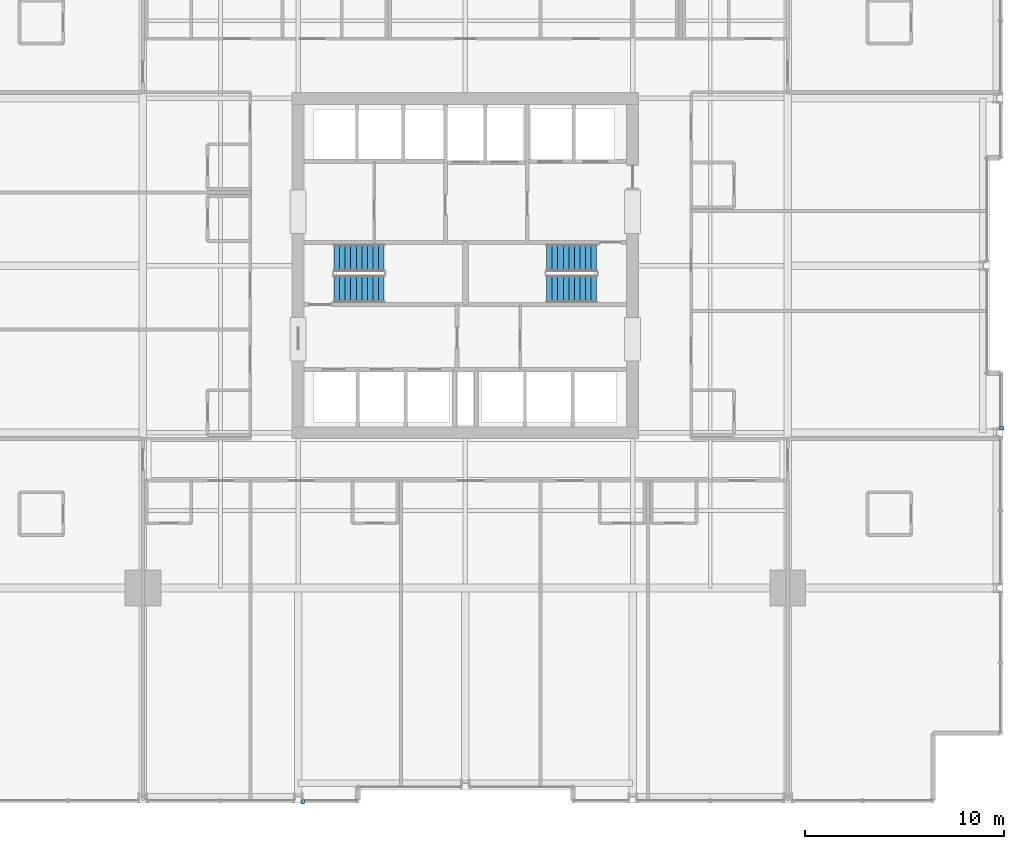
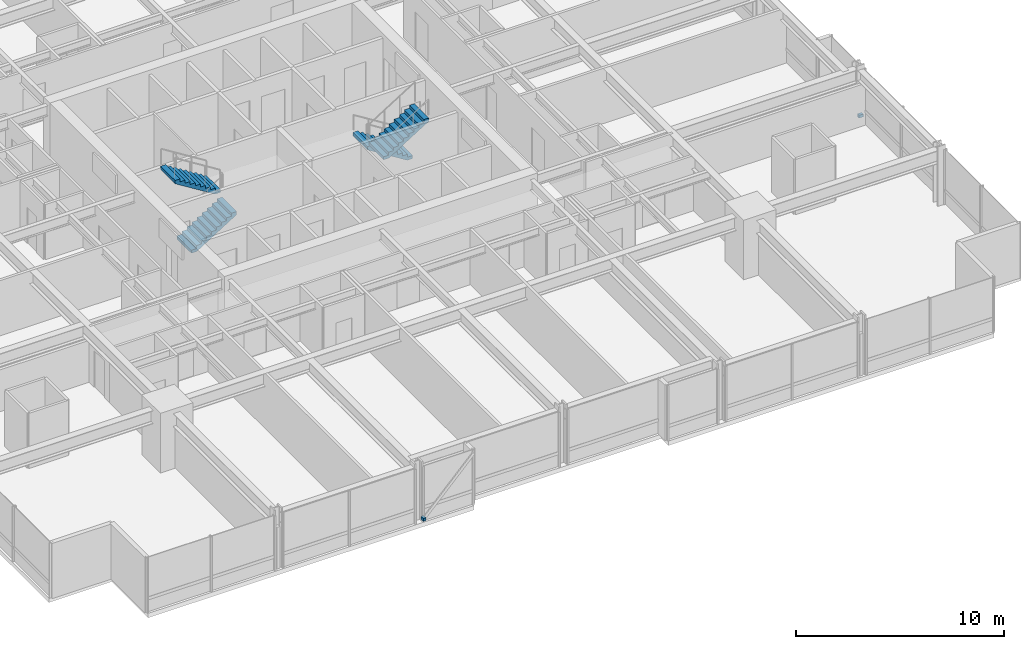
# One storey, part 34 of 38: 4 stair flights, 2 discrete accessories, 2 elements without a shape of their own.
"""IFC4 building model written with IfcOpenShell, lengths in metres."""

from ifc_helpers import new_model, si_unit, direction, frame, origin, origin_2d, place, context, subcontext, project, spatial, polyline, rectangle, outline, extrude, material, type_object, element, aggregate, save


model = new_model("IFC4")

# Units and contexts
model_context = context("Model", 3, precision=1e-05, world=origin(), true_north=direction((0.0, 1.0)))
body_context = subcontext(model_context, "Body", "Model", "MODEL_VIEW")
ifc_project = project(units=[si_unit("LENGTHUNIT", "METRE"), si_unit("AREAUNIT", "SQUARE_METRE"), si_unit("VOLUMEUNIT", "CUBIC_METRE"), si_unit("PLANEANGLEUNIT", "RADIAN"), si_unit("MASSUNIT", "GRAM", prefix="KILO")], contexts=[model_context])

# Site, building, storey
site_placement = place(None, origin())
site = spatial("IfcSite", under=ifc_project, at=site_placement, CompositionType="ELEMENT")
building_placement = place(site_placement, origin())
building = spatial("IfcBuilding", under=site, at=building_placement, Name="Drelvath Grand Hotel", CompositionType="ELEMENT")
storey_placement = place(building_placement, frame((0.0, 0.0, 61.199951171875)))
storey = spatial("IfcBuildingStorey", under=building, at=storey_placement, Name="L14", CompositionType="ELEMENT", Elevation=61.199951171875)

# Stair, stair flights
ifc_material_1 = material(Name="Concrete C40/50", Category="concrete")
stair_type = type_object("IfcStairType", Name="Dogleg Exit Stair W1400-R175.0", PredefinedType="HALF_TURN_STAIR", material=ifc_material_1)
stair_1_placement = place(storey_placement, origin())
stair_1 = element("IfcStair", 1, at=stair_1_placement, inside=storey, type_object=stair_type, Name="L14 Core Exit Stair ST-1", PredefinedType="HALF_TURN_STAIR")
stair_flight_type = type_object("IfcStairFlightType", Name="Concrete Stair Flight W1400-R175.0", PredefinedType="STRAIGHT", material=ifc_material_1)
stair_flight_1_placement = place(storey_placement, frame((-6.60009765625, 25.820068359375, 0.0), z_axis=(0.0, 0.0, 1.0), x_axis=(1.0, 0.0, 0.0)))
stair_flight_1 = element("IfcStairFlight", 2, at=stair_flight_1_placement, type_object=stair_flight_type, Name="ST-1 flight 1", NumberOfRisers=10, NumberOfTreads=9, PredefinedType="STRAIGHT", RiserHeight=0.175, TreadLength=0.28, context=body_context, shape_type="SweptSolid", body=[
    extrude(outline(polyline([(0.0, 0.0), (0.0, 0.175048828125), (0.280029296875, 0.175048828125), (0.280029296875, 0.35009765625), (0.56005859375, 0.35009765625), (0.56005859375, 0.52490234375), (0.840087890625, 0.52490234375), (0.840087890625, 0.699951171875), (1.1201171875, 0.699951171875), (1.1201171875, 0.875), (1.39990234375, 0.875), (1.39990234375, 1.050048828125), (1.679931640625, 1.050048828125), (1.679931640625, 1.22509765625), (1.9599609375, 1.22509765625), (1.9599609375, 1.39990234375), (2.239990234375, 1.39990234375), (2.239990234375, 1.574951171875), (2.52001953125, 1.574951171875), (2.52001953125, 1.75), (2.52001953125, 1.386474609375), (0.3017578125, 0.0), (0.0, 0.0)])), frame((0.0, 0.699951171875, 0.0), z_axis=(0.0, -1.0, 0.0), x_axis=(1.0, 0.0, 0.0)), (0.0, 0.0, 1.0), 1.39990234375),
])
stair_flight_2_placement = place(storey_placement, frame((-4.080078125, 27.3798828125, 1.75), z_axis=(0.0, 0.0, 1.0), x_axis=(-1.0, 0.0, 0.0)))
stair_flight_2 = element("IfcStairFlight", 3, at=stair_flight_2_placement, type_object=stair_flight_type, Name="ST-1 flight 2", NumberOfRisers=10, NumberOfTreads=9, PredefinedType="STRAIGHT", RiserHeight=0.175, TreadLength=0.28, context=body_context, shape_type="SweptSolid", body=[
    extrude(outline(polyline([(0.0, 0.0), (0.0, 0.175048828125), (0.280029296875, 0.175048828125), (0.280029296875, 0.35009765625), (0.56005859375, 0.35009765625), (0.56005859375, 0.52490234375), (0.840087890625, 0.52490234375), (0.840087890625, 0.699951171875), (1.1201171875, 0.699951171875), (1.1201171875, 0.875), (1.39990234375, 0.875), (1.39990234375, 1.050048828125), (1.679931640625, 1.050048828125), (1.679931640625, 1.22509765625), (1.9599609375, 1.22509765625), (1.9599609375, 1.39990234375), (2.239990234375, 1.39990234375), (2.239990234375, 1.574951171875), (2.52001953125, 1.574951171875), (2.52001953125, 1.75), (2.52001953125, 1.386474609375), (0.3017578125, 0.0), (0.0, 0.0)])), frame((0.0, 0.699951171875, 0.0), z_axis=(0.0, -1.0, 0.0), x_axis=(1.0, 0.0, 0.0)), (0.0, 0.0, 1.0), 1.39990234375),
])
aggregate(stair_1, [stair_flight_1, stair_flight_2])

stair_2_placement = place(storey_placement, origin())
stair_2 = element("IfcStair", 4, at=stair_2_placement, inside=storey, type_object=stair_type, Name="L14 Core Exit Stair ST-2", PredefinedType="HALF_TURN_STAIR")
stair_flight_3_placement = place(storey_placement, frame((6.60009765625, 27.3798828125, 0.0), z_axis=(0.0, 0.0, 1.0), x_axis=(-1.0, 0.0, 0.0)))
stair_flight_3 = element("IfcStairFlight", 5, at=stair_flight_3_placement, type_object=stair_flight_type, Name="ST-2 flight 1", NumberOfRisers=10, NumberOfTreads=9, PredefinedType="STRAIGHT", RiserHeight=0.175, TreadLength=0.28, context=body_context, shape_type="SweptSolid", body=[
    extrude(outline(polyline([(0.0, 0.0), (0.0, 0.175048828125), (0.280029296875, 0.175048828125), (0.280029296875, 0.35009765625), (0.56005859375, 0.35009765625), (0.56005859375, 0.52490234375), (0.840087890625, 0.52490234375), (0.840087890625, 0.699951171875), (1.1201171875, 0.699951171875), (1.1201171875, 0.875), (1.39990234375, 0.875), (1.39990234375, 1.050048828125), (1.679931640625, 1.050048828125), (1.679931640625, 1.22509765625), (1.9599609375, 1.22509765625), (1.9599609375, 1.39990234375), (2.239990234375, 1.39990234375), (2.239990234375, 1.574951171875), (2.52001953125, 1.574951171875), (2.52001953125, 1.75), (2.52001953125, 1.386474609375), (0.3017578125, 0.0), (0.0, 0.0)])), frame((0.0, 0.699951171875, 0.0), z_axis=(0.0, -1.0, 0.0), x_axis=(1.0, 0.0, 0.0)), (0.0, 0.0, 1.0), 1.39990234375),
])
stair_flight_4_placement = place(storey_placement, frame((4.080078125, 25.820068359375, 1.75), z_axis=(0.0, 0.0, 1.0), x_axis=(1.0, 0.0, 0.0)))
stair_flight_4 = element("IfcStairFlight", 6, at=stair_flight_4_placement, type_object=stair_flight_type, Name="ST-2 flight 2", NumberOfRisers=10, NumberOfTreads=9, PredefinedType="STRAIGHT", RiserHeight=0.175, TreadLength=0.28, context=body_context, shape_type="SweptSolid", body=[
    extrude(outline(polyline([(0.0, 0.0), (0.0, 0.175048828125), (0.280029296875, 0.175048828125), (0.280029296875, 0.35009765625), (0.56005859375, 0.35009765625), (0.56005859375, 0.52490234375), (0.840087890625, 0.52490234375), (0.840087890625, 0.699951171875), (1.1201171875, 0.699951171875), (1.1201171875, 0.875), (1.39990234375, 0.875), (1.39990234375, 1.050048828125), (1.679931640625, 1.050048828125), (1.679931640625, 1.22509765625), (1.9599609375, 1.22509765625), (1.9599609375, 1.39990234375), (2.239990234375, 1.39990234375), (2.239990234375, 1.574951171875), (2.52001953125, 1.574951171875), (2.52001953125, 1.75), (2.52001953125, 1.386474609375), (0.3017578125, 0.0), (0.0, 0.0)])), frame((0.0, 0.699951171875, 0.0), z_axis=(0.0, -1.0, 0.0), x_axis=(1.0, 0.0, 0.0)), (0.0, 0.0, 1.0), 1.39990234375),
])
aggregate(stair_2, [stair_flight_3, stair_flight_4])

# Discrete accessories
ifc_material_2 = material(Name="Stainless Steel Grade 316", Category="steel")
discrete_accessory_type = type_object("IfcDiscreteAccessoryType", Name="Curtain Wall Fin Mounting Bracket Cleat", PredefinedType="BRACKET", material=ifc_material_2)
for number, where, z_axis, x_axis, name in (
    (7, (26.93994140625, 18.8291015625, 0.10009765625), (0.0, 0.0, 1.0), (0.0, -1.0, 0.0), "L14 Fin Mounting Bracket CW02-L14-ES3-1"),
    (8, (-8.1708984375, 0.06005859375, 0.10009765625), (0.0, 0.0, 1.0), (-1.0, 0.0, 0.0), "L14 Fin Mounting Bracket CW02-L14-SW3-1"),
):
    element("IfcDiscreteAccessory", number, at=place(storey_placement, frame(where, z_axis=z_axis, x_axis=x_axis)), inside=storey, type_object=discrete_accessory_type, Name=name, PredefinedType="BRACKET", context=body_context, shape_type="SweptSolid", body=[
        extrude(rectangle(XDim=0.159912109375, YDim=0.239990234375, at=origin_2d()), origin(), (0.0, 0.0, 1.0), 0.159912109375),
    ])

save(model, "model.ifc")
